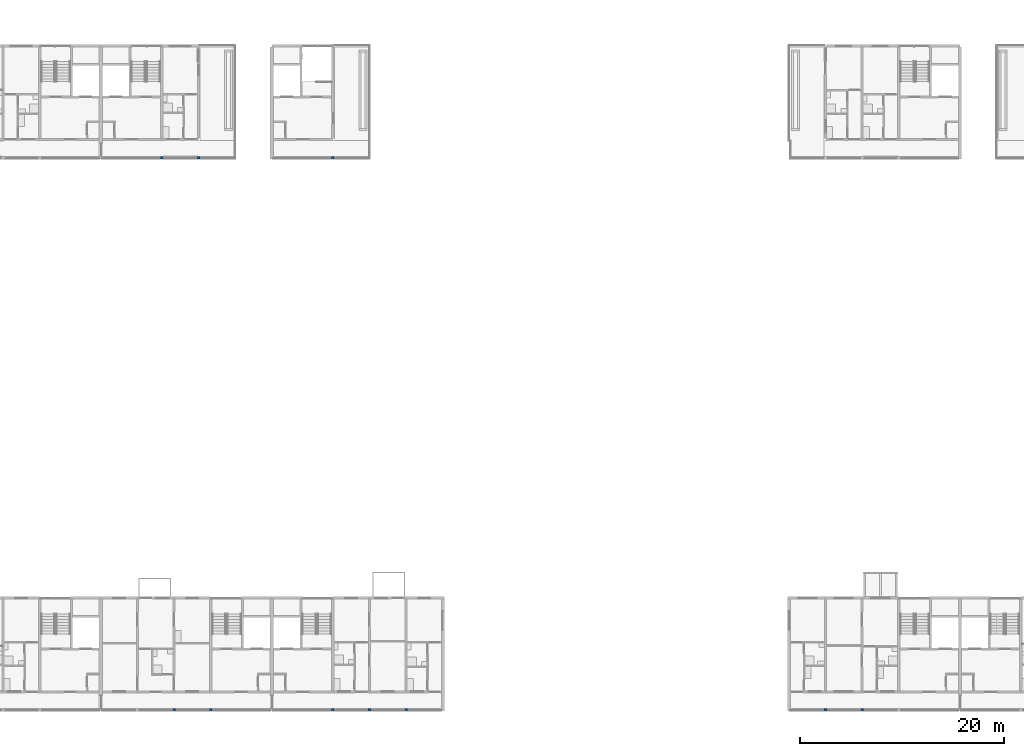
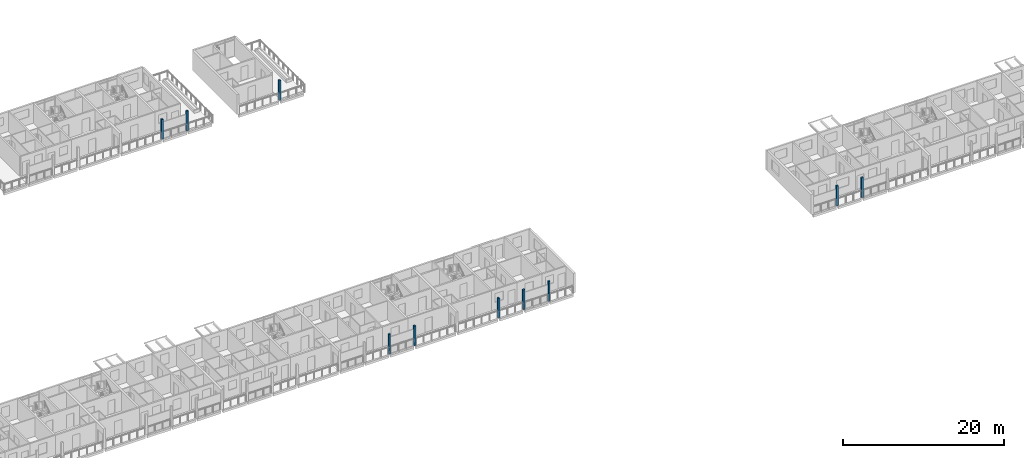
# One storey, part 2 of 94: 10 columns.
"""IFC4 building model written with IfcOpenShell, lengths in metres."""

from ifc_helpers import new_model, si_unit, direction, frame, origin, origin_2d, place, context, subcontext, project, spatial, rectangle, extrude, material, material_profile, profile_set, type_object, element, save


model = new_model("IFC4")

# Units and contexts
model_context = context("Model", 3, precision=1e-05, world=origin(), true_north=direction((0.0, 1.0)))
body_context = subcontext(model_context, "Body", "Model", "MODEL_VIEW")
ifc_project = project(units=[si_unit("LENGTHUNIT", "METRE"), si_unit("AREAUNIT", "SQUARE_METRE"), si_unit("VOLUMEUNIT", "CUBIC_METRE"), si_unit("PLANEANGLEUNIT", "RADIAN"), si_unit("MASSUNIT", "GRAM", prefix="KILO")], contexts=[model_context])

# Site, building, storey
site_placement = place(None, origin())
site = spatial("IfcSite", under=ifc_project, at=site_placement, CompositionType="ELEMENT")
building_placement = place(site_placement, origin())
building = spatial("IfcBuilding", under=site, at=building_placement, Name="Ridgestep Commons", CompositionType="ELEMENT")
storey_placement = place(building_placement, frame((0.0, 0.0, 24.0)))
storey = spatial("IfcBuildingStorey", under=building, at=storey_placement, Name="L08", CompositionType="ELEMENT", Elevation=24.0)

# Columns
ifc_material = material(Name="Precast concrete C40/50", Category="concrete")
ifc_material_profile = material_profile(ifc_material, rectangle(XDim=0.25, YDim=0.25, at=origin_2d()), Name="PC 250x250")
ifc_profile_set = profile_set([ifc_material_profile], Name="Precast concrete C40/50")
column_type = type_object("IfcColumnType", Name="Loggia column 250 x 250", PredefinedType="COLUMN", material=ifc_profile_set)
for number, where, z_axis, x_axis, name in (
    (1, (86.39990234375, 11.875, 0.0), (0.0, 0.0, 1.0), (1.0, 0.0, 0.0), "Loggia column A L08"),
    (2, (90.0, 11.875, 0.0), (0.0, 0.0, 1.0), (1.0, 0.0, 0.0), "Loggia column A L08"),
    (3, (102.0, 11.875, 0.0), (0.0, 0.0, 1.0), (1.0, 0.0, 0.0), "Loggia column A L08"),
    (4, (105.60009765625, 11.875, 0.0), (0.0, 0.0, 1.0), (1.0, 0.0, 0.0), "Loggia column A L08"),
    (5, (109.199951171875, 11.875, 0.0), (0.0, 0.0, 1.0), (1.0, 0.0, 0.0), "Loggia column A L08"),
    (6, (85.199951171875, 66.125, 0.0), (0.0, 0.0, 1.0), (1.0, 0.0, 0.0), "Loggia column B L08"),
    (7, (88.800048828125, 66.125, 0.0), (0.0, 0.0, 1.0), (1.0, 0.0, 0.0), "Loggia column B L08"),
    (8, (102.0, 66.125, 0.0), (0.0, 0.0, 1.0), (1.0, 0.0, 0.0), "Loggia column B L08"),
    (9, (150.39990234375, 11.875, 0.0), (0.0, 0.0, 1.0), (1.0, 0.0, 0.0), "Loggia column D L08"),
    (10, (154.0, 11.875, 0.0), (0.0, 0.0, 1.0), (1.0, 0.0, 0.0), "Loggia column D L08"),
):
    element("IfcColumn", number, at=place(storey_placement, frame(where, z_axis=z_axis, x_axis=x_axis)), inside=storey, type_object=column_type, Name=name, PredefinedType="COLUMN", context=body_context, shape_type="SweptSolid", body=[
        extrude(rectangle(XDim=0.25, YDim=0.25, at=origin_2d()), origin(), (0.0, 0.0, 1.0), 3.0),
    ])

save(model, "model.ifc")
